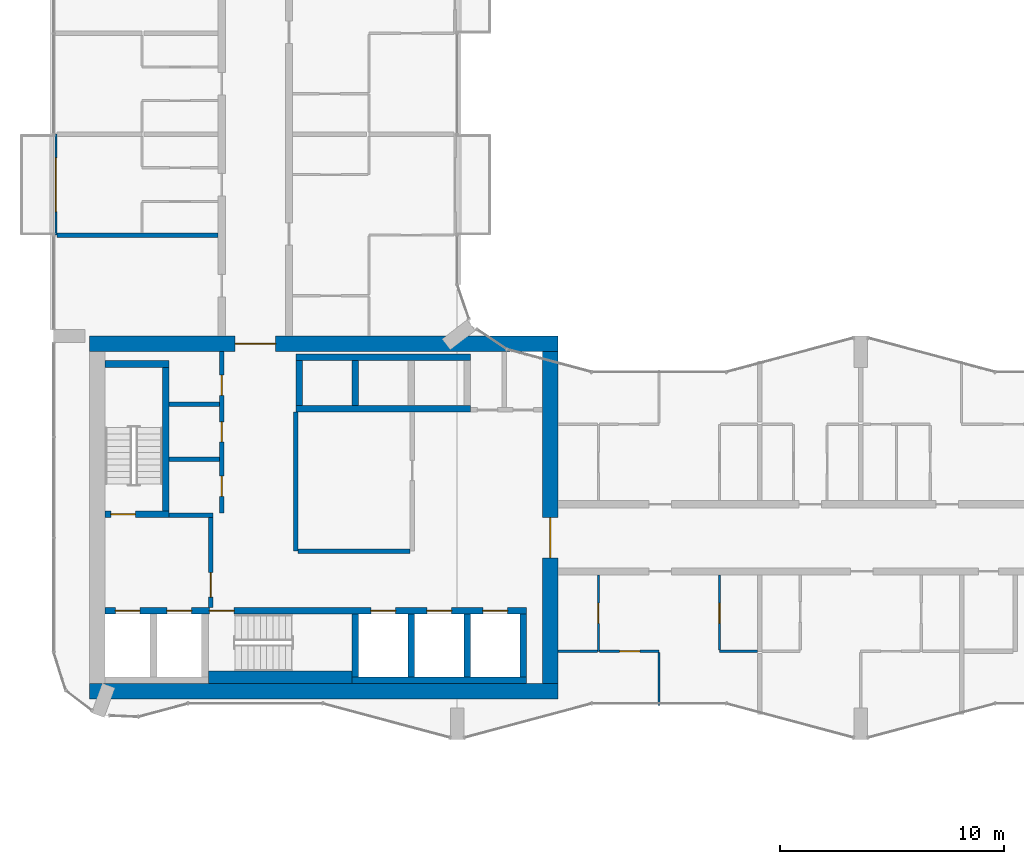
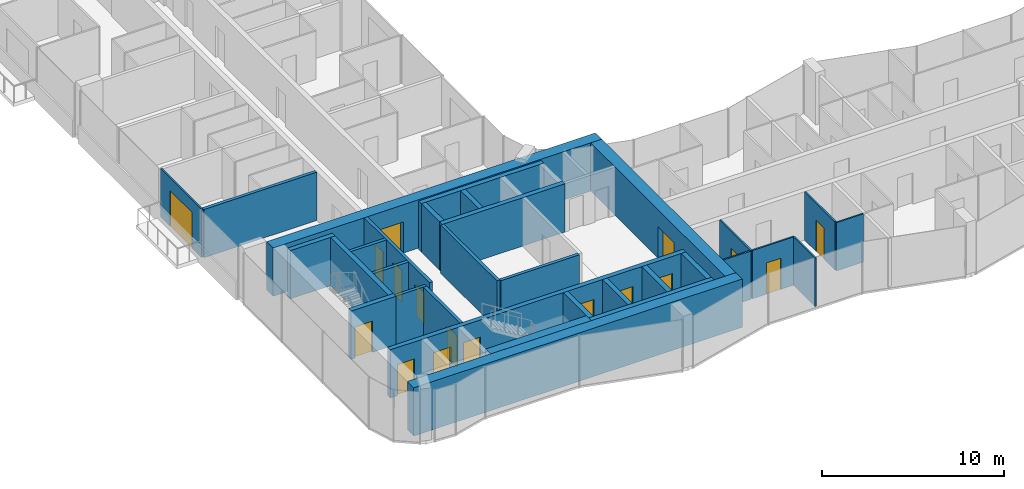
# One storey, part 13 of 23: 32 walls, 17 doors, 17 openings.
"""IFC4 building model written with IfcOpenShell, lengths in metres."""

from ifc_helpers import new_model, si_unit, direction, frame, frame_2d, origin, place, context, subcontext, project, spatial, rectangle, extrude, material, layer, layer_set, type_object, element, fill, save


model = new_model("IFC4")

# Units and contexts
model_context = context("Model", 3, precision=1e-05, world=origin(), true_north=direction((0.0, 1.0)))
body_context = subcontext(model_context, "Body", "Model", "MODEL_VIEW")
ifc_project = project(units=[si_unit("LENGTHUNIT", "METRE"), si_unit("AREAUNIT", "SQUARE_METRE"), si_unit("VOLUMEUNIT", "CUBIC_METRE"), si_unit("PLANEANGLEUNIT", "RADIAN"), si_unit("MASSUNIT", "GRAM", prefix="KILO")], contexts=[model_context])

# Site, building, storey
site_placement = place(None, origin())
site = spatial("IfcSite", under=ifc_project, at=site_placement, CompositionType="ELEMENT")
building_placement = place(site_placement, origin())
building = spatial("IfcBuilding", under=site, at=building_placement, Name="Plateau Cross Towers", CompositionType="ELEMENT")
storey_placement = place(building_placement, frame((0.0, 0.0, 85.300048828125)))
storey = spatial("IfcBuildingStorey", under=building, at=storey_placement, Name="L21", CompositionType="ELEMENT", Elevation=85.300048828125)

# Wall, opening, door
ifc_material_1 = material(Name="Aluminium framed glazing", Category="aluminium")
ifc_layer_1 = layer(ifc_material_1, 0.10009765625)
ifc_layer_set_1 = layer_set([ifc_layer_1], Name="Aluminium framed glazing")
wall_type_1 = type_object("IfcWallType", Name="Balcony screen wall 100", PredefinedType="STANDARD", material=ifc_layer_set_1)
wall_1_placement = place(storey_placement, frame((0.10009765625, 22.5, 0.0), z_axis=(0.0, 0.0, 1.0), x_axis=(0.0, 1.0, 0.0)))
wall_1 = element("IfcWall", 1, at=wall_1_placement, inside=storey, type_object=wall_type_1, Name="Balcony screen wall A-BAL-L21-01", PredefinedType="STANDARD", context=body_context, shape_type="SweptSolid", body=[
    extrude(rectangle(XDim=4.5, YDim=0.10009765625, at=frame_2d((2.25, 0.0))), origin(), (0.0, 0.0, 1.0), 3.25),
])
opening_1_placement = place(wall_1_placement, frame((1.050048828125, 0.0, 0.0)))
opening_1 = element("IfcOpeningElement", 2, at=opening_1_placement, cuts=wall_1, Name="Opening D-B24", PredefinedType="OPENING", context=body_context, shape_type="SweptSolid", body=[
    extrude(rectangle(XDim=2.39990234375, YDim=2.39990234375, at=frame_2d((1.199951171875, 1.199951171875))), frame((0.0, 0.06005859375, 0.0), z_axis=(0.0, -1.0, 0.0), x_axis=(1.0, 0.0, 0.0)), (0.0, 0.0, 1.0), 0.1201171875),
])
ifc_material_2 = material(Name="Aluminium frame, double glazing", Category="aluminium")
door_type_1 = type_object("IfcDoorType", Name="Balcony sliding door 2400", OperationType="NOTDEFINED", PredefinedType="DOOR", material=ifc_material_2)
door_1_placement = place(opening_1_placement, origin())
door_1 = element("IfcDoor", 3, at=door_1_placement, inside=storey, type_object=door_type_1, Name="Balcony door A-BAL-L21-01", OperationType="SINGLE_SWING_LEFT", OverallHeight=2.39990234375, OverallWidth=2.39990234375, PredefinedType="DOOR", context=body_context, shape_type="SweptSolid", body=[
    extrude(rectangle(XDim=2.39990234375, YDim=2.39990234375, at=frame_2d((1.199951171875, 1.199951171875))), frame((0.0, 0.02490234375, 0.0), z_axis=(0.0, -1.0, 0.0), x_axis=(1.0, 0.0, 0.0)), (0.0, 0.0, 1.0), 0.050048828125),
])
fill(opening_1, door_1)

ifc_material_3 = material(Name="Concrete block, plastered both sides", Category="concrete")
ifc_layer_2 = layer(ifc_material_3, 0.199951171875)
ifc_layer_set_2 = layer_set([ifc_layer_2], Name="Concrete block, plastered both sides")
wall_type_2 = type_object("IfcWallType", Name="Core partition 200", PredefinedType="PARTITIONING", material=ifc_layer_set_2)
wall_2_placement = place(storey_placement, frame((7.0, 5.89990234375, 0.0), z_axis=(0.0, 0.0, 1.0), x_axis=(0.0, 1.0, 0.0)))
wall_2 = element("IfcWall", 4, at=wall_2_placement, inside=storey, type_object=wall_type_2, Name="Core partition", PredefinedType="PARTITIONING", context=body_context, shape_type="SweptSolid", body=[
    extrude(rectangle(XDim=4.0, YDim=0.199951171875, at=frame_2d((2.0, 0.0))), origin(), (0.0, 0.0, 1.0), 3.25),
])
opening_2_placement = place(wall_2_placement, frame((0.449951171875, 0.0, 0.0)))
opening_2 = element("IfcOpeningElement", 5, at=opening_2_placement, cuts=wall_2, Name="Opening FFD", PredefinedType="OPENING", context=body_context, shape_type="SweptSolid", body=[
    extrude(rectangle(XDim=1.10009765625, YDim=2.10009765625, at=frame_2d((0.550048828125, 1.050048828125))), frame((0.0, 0.10986328125, 0.0), z_axis=(0.0, -1.0, 0.0), x_axis=(1.0, 0.0, 0.0)), (0.0, 0.0, 1.0), 0.219970703125),
])
ifc_material_4 = material(Name="Steel, fire-resisting leaf", Category="steel")
door_type_2 = type_object("IfcDoorType", Name="Firefighting lobby door 1100", OperationType="NOTDEFINED", PredefinedType="DOOR", material=ifc_material_4)
door_2_placement = place(opening_2_placement, origin())
door_2 = element("IfcDoor", 6, at=door_2_placement, inside=storey, type_object=door_type_2, Name="Firefighting lobby door FFD", OperationType="SINGLE_SWING_LEFT", OverallHeight=2.10009765625, OverallWidth=1.10009765625, PredefinedType="DOOR", context=body_context, shape_type="SweptSolid", body=[
    extrude(rectangle(XDim=1.10009765625, YDim=2.10009765625, at=frame_2d((0.550048828125, 1.050048828125))), frame((0.0, 0.02490234375, 0.0), z_axis=(0.0, -1.0, 0.0), x_axis=(1.0, 0.0, 0.0)), (0.0, 0.0, 1.0), 0.050048828125),
])
fill(opening_2, door_2)

# Walls
wall_3_placement = place(storey_placement, frame((5.14990234375, 10.0, 0.0), z_axis=(0.0, 0.0, 1.0), x_axis=(1.0, 0.0, 0.0)))
element("IfcWall", 7, at=wall_3_placement, inside=storey, type_object=wall_type_2, Name="Core partition", PredefinedType="PARTITIONING", context=body_context, shape_type="SweptSolid", body=[
    extrude(rectangle(XDim=1.9501953125, YDim=0.199951171875, at=frame_2d((0.97509765625, 0.0))), origin(), (0.0, 0.0, 1.0), 3.25),
])
wall_4_placement = place(storey_placement, frame((10.800048828125, 8.39990234375, 0.0), z_axis=(0.0, 0.0, 1.0), x_axis=(0.0, 1.0, 0.0)))
element("IfcWall", 8, at=wall_4_placement, inside=storey, type_object=wall_type_2, Name="Core partition", PredefinedType="PARTITIONING", context=body_context, shape_type="SweptSolid", body=[
    extrude(rectangle(XDim=6.2001953125, YDim=0.199951171875, at=frame_2d((3.10009765625, 0.0))), origin(), (0.0, 0.0, 1.0), 3.25),
])
wall_5_placement = place(storey_placement, frame((10.89990234375, 8.39990234375, 0.0), z_axis=(0.0, 0.0, 1.0), x_axis=(1.0, 0.0, 0.0)))
element("IfcWall", 9, at=wall_5_placement, inside=storey, type_object=wall_type_2, Name="Core partition", PredefinedType="PARTITIONING", context=body_context, shape_type="SweptSolid", body=[
    extrude(rectangle(XDim=5.0, YDim=0.199951171875, at=frame_2d((2.5, 0.0))), origin(), (0.0, 0.0, 1.0), 3.25),
])

# Wall, openings, doors
wall_6_placement = place(storey_placement, frame((7.5, 10.10009765625, 0.0), z_axis=(0.0, 0.0, 1.0), x_axis=(0.0, 1.0, 0.0)))
wall_6 = element("IfcWall", 10, at=wall_6_placement, inside=storey, type_object=wall_type_2, Name="Core partition", PredefinedType="PARTITIONING", context=body_context, shape_type="SweptSolid", body=[
    extrude(rectangle(XDim=7.199951171875, YDim=0.199951171875, at=frame_2d((3.60009765625, 0.0))), origin(), (0.0, 0.0, 1.0), 3.25),
])
opening_3_placement = place(wall_6_placement, frame((0.75, 0.0, 0.0)))
opening_3 = element("IfcOpeningElement", 11, at=opening_3_placement, cuts=wall_6, Name="Opening RD1", PredefinedType="OPENING", context=body_context, shape_type="SweptSolid", body=[
    extrude(rectangle(XDim=0.89990234375, YDim=2.10009765625, at=frame_2d((0.449951171875, 1.050048828125))), frame((0.0, 0.10986328125, 0.0), z_axis=(0.0, -1.0, 0.0), x_axis=(1.0, 0.0, 0.0)), (0.0, 0.0, 1.0), 0.219970703125),
])
opening_4_placement = place(wall_6_placement, frame((3.175048828125, 0.0, 0.0)))
opening_4 = element("IfcOpeningElement", 12, at=opening_4_placement, cuts=wall_6, Name="Opening RD1", PredefinedType="OPENING", context=body_context, shape_type="SweptSolid", body=[
    extrude(rectangle(XDim=0.89990234375, YDim=2.10009765625, at=frame_2d((0.449951171875, 1.050048828125))), frame((0.0, 0.10986328125, 0.0), z_axis=(0.0, -1.0, 0.0), x_axis=(1.0, 0.0, 0.0)), (0.0, 0.0, 1.0), 0.219970703125),
])
opening_5_placement = place(wall_6_placement, frame((5.25, 0.0, 0.0)))
opening_5 = element("IfcOpeningElement", 13, at=opening_5_placement, cuts=wall_6, Name="Opening RD1", PredefinedType="OPENING", context=body_context, shape_type="SweptSolid", body=[
    extrude(rectangle(XDim=0.89990234375, YDim=2.10009765625, at=frame_2d((0.449951171875, 1.050048828125))), frame((0.0, 0.10986328125, 0.0), z_axis=(0.0, -1.0, 0.0), x_axis=(1.0, 0.0, 0.0)), (0.0, 0.0, 1.0), 0.219970703125),
])
ifc_material_5 = material(Name="Timber, fire-resisting leaf", Category="wood")
door_type_3 = type_object("IfcDoorType", Name="Core service door 900", OperationType="NOTDEFINED", PredefinedType="DOOR", material=ifc_material_5)
door_3_placement = place(opening_3_placement, origin())
door_3 = element("IfcDoor", 14, at=door_3_placement, inside=storey, type_object=door_type_3, Name="Core service door RD1", OperationType="SINGLE_SWING_RIGHT", OverallHeight=2.10009765625, OverallWidth=0.89990234375, PredefinedType="DOOR", context=body_context, shape_type="SweptSolid", body=[
    extrude(rectangle(XDim=0.89990234375, YDim=2.10009765625, at=frame_2d((0.449951171875, 1.050048828125))), frame((0.0, 0.02490234375, 0.0), z_axis=(0.0, -1.0, 0.0), x_axis=(1.0, 0.0, 0.0)), (0.0, 0.0, 1.0), 0.050048828125),
])
fill(opening_3, door_3)
door_4_placement = place(opening_4_placement, origin())
door_4 = element("IfcDoor", 15, at=door_4_placement, inside=storey, type_object=door_type_3, Name="Core service door RD1", OperationType="SINGLE_SWING_RIGHT", OverallHeight=2.10009765625, OverallWidth=0.89990234375, PredefinedType="DOOR", context=body_context, shape_type="SweptSolid", body=[
    extrude(rectangle(XDim=0.89990234375, YDim=2.10009765625, at=frame_2d((0.449951171875, 1.050048828125))), frame((0.0, 0.02490234375, 0.0), z_axis=(0.0, -1.0, 0.0), x_axis=(1.0, 0.0, 0.0)), (0.0, 0.0, 1.0), 0.050048828125),
])
fill(opening_4, door_4)
door_5_placement = place(opening_5_placement, origin())
door_5 = element("IfcDoor", 16, at=door_5_placement, inside=storey, type_object=door_type_3, Name="Core service door RD1", OperationType="SINGLE_SWING_RIGHT", OverallHeight=2.10009765625, OverallWidth=0.89990234375, PredefinedType="DOOR", context=body_context, shape_type="SweptSolid", body=[
    extrude(rectangle(XDim=0.89990234375, YDim=2.10009765625, at=frame_2d((0.449951171875, 1.050048828125))), frame((0.0, 0.02490234375, 0.0), z_axis=(0.0, -1.0, 0.0), x_axis=(1.0, 0.0, 0.0)), (0.0, 0.0, 1.0), 0.050048828125),
])
fill(opening_5, door_5)

# Walls
for number, where, z_axis, x_axis, name in (
    (17, (5.14990234375, 12.5, 0.0), (0.0, 0.0, 1.0), (1.0, 0.0, 0.0), "Core partition"),
    (18, (5.14990234375, 14.949951171875, 0.0), (0.0, 0.0, 1.0), (1.0, 0.0, 0.0), "Core partition"),
):
    element("IfcWall", number, at=place(storey_placement, frame(where, z_axis=z_axis, x_axis=x_axis)), inside=storey, type_object=wall_type_2, Name=name, PredefinedType="PARTITIONING", context=body_context, shape_type="SweptSolid", body=[
        extrude(rectangle(XDim=2.25, YDim=0.199951171875, at=frame_2d((1.125, 0.0))), origin(), (0.0, 0.0, 1.0), 3.25),
    ])
ifc_material_6 = material(Name="Concrete C60/75", Category="concrete")
ifc_layer_3 = layer(ifc_material_6, 0.300048828125)
ifc_layer_set_3 = layer_set([ifc_layer_3], Name="Concrete C60/75")
wall_type_3 = type_object("IfcWallType", Name="Core shaft wall 300", PredefinedType="SHEAR", material=ifc_layer_set_3)
wall_7_placement = place(storey_placement, frame((13.300048828125, 2.64990234375, 0.0), z_axis=(0.0, 0.0, 1.0), x_axis=(1.0, 0.0, 0.0)))
element("IfcWall", 19, at=wall_7_placement, inside=storey, type_object=wall_type_3, Name="A-sb-back3@L21", PredefinedType="SHEAR", context=body_context, shape_type="SweptSolid", body=[
    extrude(rectangle(XDim=7.800048828125, YDim=0.300048828125, at=frame_2d((3.89990234375, 0.0))), origin(), (0.0, 0.0, 1.0), 3.25),
])
for number, where, z_axis, x_axis, name in (
    (20, (13.449951171875, 2.800048828125, 0.0), (0.0, 0.0, 1.0), (0.0, 1.0, 0.0), "A-sb-v3@L21"),
    (21, (15.949951171875, 2.800048828125, 0.0), (0.0, 0.0, 1.0), (0.0, 1.0, 0.0), "A-sb-v4@L21"),
    (22, (18.449951171875, 2.800048828125, 0.0), (0.0, 0.0, 1.0), (0.0, 1.0, 0.0), "A-sb-v5@L21"),
    (23, (20.949951171875, 2.800048828125, 0.0), (0.0, 0.0, 1.0), (0.0, 1.0, 0.0), "A-sb-v6@L21"),
):
    element("IfcWall", number, at=place(storey_placement, frame(where, z_axis=z_axis, x_axis=x_axis)), inside=storey, type_object=wall_type_3, Name=name, PredefinedType="SHEAR", context=body_context, shape_type="SweptSolid", body=[
        extrude(rectangle(XDim=2.800048828125, YDim=0.300048828125, at=frame_2d((1.39990234375, 0.0))), origin(), (0.0, 0.0, 1.0), 3.25),
    ])

# Wall, openings, doors
wall_8_placement = place(storey_placement, frame((2.300048828125, 5.75, 0.0), z_axis=(0.0, 0.0, 1.0), x_axis=(1.0, 0.0, 0.0)))
wall_8 = element("IfcWall", 24, at=wall_8_placement, inside=storey, type_object=wall_type_3, Name="A-sb-front@L21", PredefinedType="SHEAR", context=body_context, shape_type="SweptSolid", body=[
    extrude(rectangle(XDim=18.800048828125, YDim=0.300048828125, at=frame_2d((9.39990234375, 0.0))), origin(), (0.0, 0.0, 1.0), 3.25),
])
opening_6_placement = place(wall_8_placement, frame((4.64990234375, 0.0, 0.0)))
opening_6 = element("IfcOpeningElement", 25, at=opening_6_placement, cuts=wall_8, Name="Opening SD", PredefinedType="OPENING", context=body_context, shape_type="SweptSolid", body=[
    extrude(rectangle(XDim=1.10009765625, YDim=2.10009765625, at=frame_2d((0.550048828125, 1.050048828125))), frame((0.0, 0.159912109375, 0.0), z_axis=(0.0, -1.0, 0.0), x_axis=(1.0, 0.0, 0.0)), (0.0, 0.0, 1.0), 0.320068359375),
])
opening_7_placement = place(wall_8_placement, frame((0.449951171875, 0.0, 0.0)))
opening_7 = element("IfcOpeningElement", 26, at=opening_7_placement, cuts=wall_8, Name="Opening LD", PredefinedType="OPENING", context=body_context, shape_type="SweptSolid", body=[
    extrude(rectangle(XDim=1.10009765625, YDim=2.10009765625, at=frame_2d((0.550048828125, 1.050048828125))), frame((0.0, 0.159912109375, 0.0), z_axis=(0.0, -1.0, 0.0), x_axis=(1.0, 0.0, 0.0)), (0.0, 0.0, 1.0), 0.320068359375),
])
opening_8_placement = place(wall_8_placement, frame((2.75, 0.0, 0.0)))
opening_8 = element("IfcOpeningElement", 27, at=opening_8_placement, cuts=wall_8, Name="Opening LD", PredefinedType="OPENING", context=body_context, shape_type="SweptSolid", body=[
    extrude(rectangle(XDim=1.10009765625, YDim=2.10009765625, at=frame_2d((0.550048828125, 1.050048828125))), frame((0.0, 0.159912109375, 0.0), z_axis=(0.0, -1.0, 0.0), x_axis=(1.0, 0.0, 0.0)), (0.0, 0.0, 1.0), 0.320068359375),
])
opening_9_placement = place(wall_8_placement, frame((11.85009765625, 0.0, 0.0)))
opening_9 = element("IfcOpeningElement", 28, at=opening_9_placement, cuts=wall_8, Name="Opening LD", PredefinedType="OPENING", context=body_context, shape_type="SweptSolid", body=[
    extrude(rectangle(XDim=1.10009765625, YDim=2.10009765625, at=frame_2d((0.550048828125, 1.050048828125))), frame((0.0, 0.159912109375, 0.0), z_axis=(0.0, -1.0, 0.0), x_axis=(1.0, 0.0, 0.0)), (0.0, 0.0, 1.0), 0.320068359375),
])
opening_10_placement = place(wall_8_placement, frame((14.35009765625, 0.0, 0.0)))
opening_10 = element("IfcOpeningElement", 29, at=opening_10_placement, cuts=wall_8, Name="Opening LD", PredefinedType="OPENING", context=body_context, shape_type="SweptSolid", body=[
    extrude(rectangle(XDim=1.10009765625, YDim=2.10009765625, at=frame_2d((0.550048828125, 1.050048828125))), frame((0.0, 0.159912109375, 0.0), z_axis=(0.0, -1.0, 0.0), x_axis=(1.0, 0.0, 0.0)), (0.0, 0.0, 1.0), 0.320068359375),
])
opening_11_placement = place(wall_8_placement, frame((16.85009765625, 0.0, 0.0)))
opening_11 = element("IfcOpeningElement", 30, at=opening_11_placement, cuts=wall_8, Name="Opening LD", PredefinedType="OPENING", context=body_context, shape_type="SweptSolid", body=[
    extrude(rectangle(XDim=1.10009765625, YDim=2.10009765625, at=frame_2d((0.550048828125, 1.050048828125))), frame((0.0, 0.159912109375, 0.0), z_axis=(0.0, -1.0, 0.0), x_axis=(1.0, 0.0, 0.0)), (0.0, 0.0, 1.0), 0.320068359375),
])
ifc_material_7 = material(Name="Stainless steel, fire-resisting sliding leaves", Category="steel")
door_type_4 = type_object("IfcDoorType", Name="Lift landing door 1100", OperationType="NOTDEFINED", PredefinedType="DOOR", material=ifc_material_7)
door_6_placement = place(opening_7_placement, origin())
door_6 = element("IfcDoor", 31, at=door_6_placement, inside=storey, type_object=door_type_4, Name="Lift landing door LD", OperationType="DOUBLE_DOOR_SLIDING", OverallHeight=2.10009765625, OverallWidth=1.10009765625, PredefinedType="DOOR", context=body_context, shape_type="SweptSolid", body=[
    extrude(rectangle(XDim=1.10009765625, YDim=2.10009765625, at=frame_2d((0.550048828125, 1.050048828125))), frame((0.0, 0.02490234375, 0.0), z_axis=(0.0, -1.0, 0.0), x_axis=(1.0, 0.0, 0.0)), (0.0, 0.0, 1.0), 0.050048828125),
])
fill(opening_7, door_6)
door_7_placement = place(opening_8_placement, origin())
door_7 = element("IfcDoor", 32, at=door_7_placement, inside=storey, type_object=door_type_4, Name="Lift landing door LD", OperationType="DOUBLE_DOOR_SLIDING", OverallHeight=2.10009765625, OverallWidth=1.10009765625, PredefinedType="DOOR", context=body_context, shape_type="SweptSolid", body=[
    extrude(rectangle(XDim=1.10009765625, YDim=2.10009765625, at=frame_2d((0.550048828125, 1.050048828125))), frame((0.0, 0.02490234375, 0.0), z_axis=(0.0, -1.0, 0.0), x_axis=(1.0, 0.0, 0.0)), (0.0, 0.0, 1.0), 0.050048828125),
])
fill(opening_8, door_7)
door_8_placement = place(opening_9_placement, origin())
door_8 = element("IfcDoor", 33, at=door_8_placement, inside=storey, type_object=door_type_4, Name="Lift landing door LD", OperationType="DOUBLE_DOOR_SLIDING", OverallHeight=2.10009765625, OverallWidth=1.10009765625, PredefinedType="DOOR", context=body_context, shape_type="SweptSolid", body=[
    extrude(rectangle(XDim=1.10009765625, YDim=2.10009765625, at=frame_2d((0.550048828125, 1.050048828125))), frame((0.0, 0.02490234375, 0.0), z_axis=(0.0, -1.0, 0.0), x_axis=(1.0, 0.0, 0.0)), (0.0, 0.0, 1.0), 0.050048828125),
])
fill(opening_9, door_8)
door_9_placement = place(opening_10_placement, origin())
door_9 = element("IfcDoor", 34, at=door_9_placement, inside=storey, type_object=door_type_4, Name="Lift landing door LD", OperationType="DOUBLE_DOOR_SLIDING", OverallHeight=2.10009765625, OverallWidth=1.10009765625, PredefinedType="DOOR", context=body_context, shape_type="SweptSolid", body=[
    extrude(rectangle(XDim=1.10009765625, YDim=2.10009765625, at=frame_2d((0.550048828125, 1.050048828125))), frame((0.0, 0.02490234375, 0.0), z_axis=(0.0, -1.0, 0.0), x_axis=(1.0, 0.0, 0.0)), (0.0, 0.0, 1.0), 0.050048828125),
])
fill(opening_10, door_9)
door_10_placement = place(opening_11_placement, origin())
door_10 = element("IfcDoor", 35, at=door_10_placement, inside=storey, type_object=door_type_4, Name="Lift landing door LD", OperationType="DOUBLE_DOOR_SLIDING", OverallHeight=2.10009765625, OverallWidth=1.10009765625, PredefinedType="DOOR", context=body_context, shape_type="SweptSolid", body=[
    extrude(rectangle(XDim=1.10009765625, YDim=2.10009765625, at=frame_2d((0.550048828125, 1.050048828125))), frame((0.0, 0.02490234375, 0.0), z_axis=(0.0, -1.0, 0.0), x_axis=(1.0, 0.0, 0.0)), (0.0, 0.0, 1.0), 0.050048828125),
])
fill(opening_11, door_10)
door_type_5 = type_object("IfcDoorType", Name="Stair door 1100", OperationType="NOTDEFINED", PredefinedType="DOOR", material=ifc_material_4)
door_11_placement = place(opening_6_placement, origin())
door_11 = element("IfcDoor", 36, at=door_11_placement, inside=storey, type_object=door_type_5, Name="Stair door SD", OperationType="SINGLE_SWING_LEFT", OverallHeight=2.10009765625, OverallWidth=1.10009765625, PredefinedType="DOOR", context=body_context, shape_type="SweptSolid", body=[
    extrude(rectangle(XDim=1.10009765625, YDim=2.10009765625, at=frame_2d((0.550048828125, 1.050048828125))), frame((0.0, 0.02490234375, 0.0), z_axis=(0.0, -1.0, 0.0), x_axis=(1.0, 0.0, 0.0)), (0.0, 0.0, 1.0), 0.050048828125),
])
fill(opening_6, door_11)

# Wall, opening, door
wall_9_placement = place(storey_placement, frame((2.300048828125, 10.050048828125, 0.0), z_axis=(0.0, 0.0, 1.0), x_axis=(1.0, 0.0, 0.0)))
wall_9 = element("IfcWall", 37, at=wall_9_placement, inside=storey, type_object=wall_type_3, Name="A-st1-S@L21", PredefinedType="SHEAR", context=body_context, shape_type="SweptSolid", body=[
    extrude(rectangle(XDim=2.849853515625, YDim=0.300048828125, at=frame_2d((1.4248046875, 0.0))), origin(), (0.0, 0.0, 1.0), 3.25),
])
opening_12_placement = place(wall_9_placement, frame((0.25, 0.0, 0.0)))
opening_12 = element("IfcOpeningElement", 38, at=opening_12_placement, cuts=wall_9, Name="Opening SD", PredefinedType="OPENING", context=body_context, shape_type="SweptSolid", body=[
    extrude(rectangle(XDim=1.10009765625, YDim=2.10009765625, at=frame_2d((0.550048828125, 1.050048828125))), frame((0.0, 0.159912109375, 0.0), z_axis=(0.0, -1.0, 0.0), x_axis=(1.0, 0.0, 0.0)), (0.0, 0.0, 1.0), 0.320068359375),
])
door_12_placement = place(opening_12_placement, origin())
door_12 = element("IfcDoor", 39, at=door_12_placement, inside=storey, type_object=door_type_5, Name="Stair door SD", OperationType="SINGLE_SWING_RIGHT", OverallHeight=2.10009765625, OverallWidth=1.10009765625, PredefinedType="DOOR", context=body_context, shape_type="SweptSolid", body=[
    extrude(rectangle(XDim=1.10009765625, YDim=2.10009765625, at=frame_2d((0.550048828125, 1.050048828125))), frame((0.0, 0.02490234375, 0.0), z_axis=(0.0, -1.0, 0.0), x_axis=(1.0, 0.0, 0.0)), (0.0, 0.0, 1.0), 0.050048828125),
])
fill(opening_12, door_12)

# Walls
wall_10_placement = place(storey_placement, frame((5.0, 10.199951171875, 0.0), z_axis=(0.0, 0.0, 1.0), x_axis=(0.0, 1.0, 0.0)))
element("IfcWall", 40, at=wall_10_placement, inside=storey, type_object=wall_type_3, Name="A-st1-E@L21", PredefinedType="SHEAR", context=body_context, shape_type="SweptSolid", body=[
    extrude(rectangle(XDim=6.400146484375, YDim=0.300048828125, at=frame_2d((3.2001953125, 0.0))), origin(), (0.0, 0.0, 1.0), 3.25),
])
wall_11_placement = place(storey_placement, frame((2.300048828125, 16.75, 0.0), z_axis=(0.0, 0.0, 1.0), x_axis=(1.0, 0.0, 0.0)))
element("IfcWall", 41, at=wall_11_placement, inside=storey, type_object=wall_type_3, Name="A-st1-N@L21", PredefinedType="SHEAR", context=body_context, shape_type="SweptSolid", body=[
    extrude(rectangle(XDim=2.849853515625, YDim=0.300048828125, at=frame_2d((1.4248046875, 0.0))), origin(), (0.0, 0.0, 1.0), 3.25),
])
for number, where, z_axis, x_axis, name in (
    (42, (10.800048828125, 17.050048828125, 0.0), (0.0, 0.0, 1.0), (1.0, 0.0, 0.0), "A-nb-back@L21"),
    (43, (10.800048828125, 14.75, 0.0), (0.0, 0.0, 1.0), (1.0, 0.0, 0.0), "A-nb-front@L21"),
):
    element("IfcWall", number, at=place(storey_placement, frame(where, z_axis=z_axis, x_axis=x_axis)), inside=storey, type_object=wall_type_3, Name=name, PredefinedType="SHEAR", context=body_context, shape_type="SweptSolid", body=[
        extrude(rectangle(XDim=7.800048828125, YDim=0.300048828125, at=frame_2d((3.89990234375, 0.0))), origin(), (0.0, 0.0, 1.0), 3.25),
    ])
for number, where, z_axis, x_axis, name in (
    (44, (10.949951171875, 14.89990234375, 0.0), (0.0, 0.0, 1.0), (0.0, 1.0, 0.0), "A-nb-v1@L21"),
    (45, (13.449951171875, 14.89990234375, 0.0), (0.0, 0.0, 1.0), (0.0, 1.0, 0.0), "A-nb-v2@L21"),
):
    element("IfcWall", number, at=place(storey_placement, frame(where, z_axis=z_axis, x_axis=x_axis)), inside=storey, type_object=wall_type_3, Name=name, PredefinedType="SHEAR", context=body_context, shape_type="SweptSolid", body=[
        extrude(rectangle(XDim=2.0, YDim=0.300048828125, at=frame_2d((1.0, 0.0))), origin(), (0.0, 0.0, 1.0), 3.25),
    ])
ifc_layer_4 = layer(ifc_material_6, 0.550048828125)
ifc_layer_set_4 = layer_set([ifc_layer_4], Name="Concrete C60/75")
wall_type_4 = type_object("IfcWallType", Name="Core shaft wall 550", PredefinedType="SHEAR", material=ifc_layer_set_4)
wall_12_placement = place(storey_placement, frame((6.89990234375, 2.77490234375, 0.0), z_axis=(0.0, 0.0, 1.0), x_axis=(1.0, 0.0, 0.0)))
element("IfcWall", 46, at=wall_12_placement, inside=storey, type_object=wall_type_4, Name="A-sb-back2@L21", PredefinedType="SHEAR", context=body_context, shape_type="SweptSolid", body=[
    extrude(rectangle(XDim=6.400146484375, YDim=0.550048828125, at=frame_2d((3.2001953125, 0.0))), origin(), (0.0, 0.0, 1.0), 3.25),
])
ifc_layer_5 = layer(ifc_material_6, 0.699951171875)
ifc_layer_set_5 = layer_set([ifc_layer_5], Name="Concrete C60/75")
wall_type_5 = type_object("IfcWallType", Name="Core shell wall 700", PredefinedType="SHEAR", material=ifc_layer_set_5)
wall_13_placement = place(storey_placement, frame((1.60009765625, 2.14990234375, 0.0), z_axis=(0.0, 0.0, 1.0), x_axis=(1.0, 0.0, 0.0)))
element("IfcWall", 47, at=wall_13_placement, inside=storey, type_object=wall_type_5, Name="A-core-S@L21", PredefinedType="SHEAR", context=body_context, shape_type="SweptSolid", body=[
    extrude(rectangle(XDim=20.89990234375, YDim=0.699951171875, at=frame_2d((10.449951171875, 0.0))), origin(), (0.0, 0.0, 1.0), 3.25),
])

# Wall, opening, door
wall_14_placement = place(storey_placement, frame((1.60009765625, 17.64990234375, 0.0), z_axis=(0.0, 0.0, 1.0), x_axis=(1.0, 0.0, 0.0)))
wall_14 = element("IfcWall", 48, at=wall_14_placement, inside=storey, type_object=wall_type_5, Name="A-core-N@L21", PredefinedType="SHEAR", context=body_context, shape_type="SweptSolid", body=[
    extrude(rectangle(XDim=20.89990234375, YDim=0.699951171875, at=frame_2d((10.449951171875, 0.0))), origin(), (0.0, 0.0, 1.0), 3.25),
])
opening_13_placement = place(wall_14_placement, frame((6.5, 0.0, 0.0)))
opening_13 = element("IfcOpeningElement", 49, at=opening_13_placement, cuts=wall_14, Name="Opening CD", PredefinedType="OPENING", context=body_context, shape_type="SweptSolid", body=[
    extrude(rectangle(XDim=1.800048828125, YDim=2.10009765625, at=frame_2d((0.89990234375, 1.050048828125))), frame((0.0, 0.35986328125, 0.0), z_axis=(0.0, -1.0, 0.0), x_axis=(1.0, 0.0, 0.0)), (0.0, 0.0, 1.0), 0.719970703125),
])
ifc_material_8 = material(Name="Steel, fire-resisting leaves", Category="steel")
door_type_6 = type_object("IfcDoorType", Name="Corridor door pair 1800", OperationType="NOTDEFINED", PredefinedType="DOOR", material=ifc_material_8)
door_13_placement = place(opening_13_placement, origin())
door_13 = element("IfcDoor", 50, at=door_13_placement, inside=storey, type_object=door_type_6, Name="Corridor door pair CD", OperationType="DOUBLE_DOOR_SINGLE_SWING", OverallHeight=2.10009765625, OverallWidth=1.800048828125, PredefinedType="DOOR", context=body_context, shape_type="SweptSolid", body=[
    extrude(rectangle(XDim=1.800048828125, YDim=2.10009765625, at=frame_2d((0.89990234375, 1.050048828125))), frame((0.0, 0.02490234375, 0.0), z_axis=(0.0, -1.0, 0.0), x_axis=(1.0, 0.0, 0.0)), (0.0, 0.0, 1.0), 0.050048828125),
])
fill(opening_13, door_13)

wall_15_placement = place(storey_placement, frame((22.14990234375, 2.5, 0.0), z_axis=(0.0, 0.0, 1.0), x_axis=(0.0, 1.0, 0.0)))
wall_15 = element("IfcWall", 51, at=wall_15_placement, inside=storey, type_object=wall_type_5, Name="A-core-E@L21", PredefinedType="SHEAR", context=body_context, shape_type="SweptSolid", body=[
    extrude(rectangle(XDim=14.800048828125, YDim=0.699951171875, at=frame_2d((7.39990234375, 0.0))), origin(), (0.0, 0.0, 1.0), 3.25),
])
opening_14_placement = place(wall_15_placement, frame((5.60009765625, 0.0, 0.0)))
opening_14 = element("IfcOpeningElement", 52, at=opening_14_placement, cuts=wall_15, Name="Opening CD", PredefinedType="OPENING", context=body_context, shape_type="SweptSolid", body=[
    extrude(rectangle(XDim=1.800048828125, YDim=2.10009765625, at=frame_2d((0.89990234375, 1.050048828125))), frame((0.0, 0.35986328125, 0.0), z_axis=(0.0, -1.0, 0.0), x_axis=(1.0, 0.0, 0.0)), (0.0, 0.0, 1.0), 0.719970703125),
])
door_14_placement = place(opening_14_placement, origin())
door_14 = element("IfcDoor", 53, at=door_14_placement, inside=storey, type_object=door_type_6, Name="Corridor door pair CD", OperationType="DOUBLE_DOOR_SINGLE_SWING", OverallHeight=2.10009765625, OverallWidth=1.800048828125, PredefinedType="DOOR", context=body_context, shape_type="SweptSolid", body=[
    extrude(rectangle(XDim=1.800048828125, YDim=2.10009765625, at=frame_2d((0.89990234375, 1.050048828125))), frame((0.0, 0.02490234375, 0.0), z_axis=(0.0, -1.0, 0.0), x_axis=(1.0, 0.0, 0.0)), (0.0, 0.0, 1.0), 0.050048828125),
])
fill(opening_14, door_14)

ifc_material_9 = material(Name="Gypsum board on steel studs", Category="steel")
ifc_layer_6 = layer(ifc_material_9, 0.10009765625)
ifc_layer_set_6 = layer_set([ifc_layer_6], Name="Gypsum board on steel studs")
wall_type_6 = type_object("IfcWallType", Name="Flat partition 100", PredefinedType="PARTITIONING", material=ifc_layer_set_6)
wall_16_placement = place(storey_placement, frame((27.0, 3.9375, 0.0), z_axis=(0.0, 0.0, 1.0), x_axis=(-1.0, 0.0, 0.0)))
wall_16 = element("IfcWall", 54, at=wall_16_placement, inside=storey, type_object=wall_type_6, Name="Partition wall", PredefinedType="PARTITIONING", context=body_context, shape_type="SweptSolid", body=[
    extrude(rectangle(XDim=2.64990234375, YDim=0.10009765625, at=frame_2d((1.324951171875, 0.0))), origin(), (0.0, 0.0, 1.0), 3.25),
])
opening_15_placement = place(wall_16_placement, frame((0.85009765625, 0.0, 0.0)))
opening_15 = element("IfcOpeningElement", 55, at=opening_15_placement, cuts=wall_16, Name="Opening 21-20", PredefinedType="OPENING", context=body_context, shape_type="SweptSolid", body=[
    extrude(rectangle(XDim=0.89990234375, YDim=2.10009765625, at=frame_2d((0.449951171875, 1.050048828125))), frame((0.0, 0.06005859375, 0.0), z_axis=(0.0, -1.0, 0.0), x_axis=(1.0, 0.0, 0.0)), (0.0, 0.0, 1.0), 0.1201171875),
])
ifc_material_10 = material(Name="Timber leaf", Category="wood")
door_type_7 = type_object("IfcDoorType", Name="Flat room door 900", OperationType="NOTDEFINED", PredefinedType="DOOR", material=ifc_material_10)
door_15_placement = place(opening_15_placement, origin())
door_15 = element("IfcDoor", 56, at=door_15_placement, inside=storey, type_object=door_type_7, Name="Door 21-20", OperationType="SINGLE_SWING_LEFT", OverallHeight=2.10009765625, OverallWidth=0.89990234375, PredefinedType="DOOR", context=body_context, shape_type="SweptSolid", body=[
    extrude(rectangle(XDim=0.89990234375, YDim=2.10009765625, at=frame_2d((0.449951171875, 1.050048828125))), frame((0.0, 0.02490234375, 0.0), z_axis=(0.0, -1.0, 0.0), x_axis=(1.0, 0.0, 0.0)), (0.0, 0.0, 1.0), 0.050048828125),
])
fill(opening_15, door_15)

# Walls
wall_17_placement = place(storey_placement, frame((22.5, 3.9375, 0.0), z_axis=(0.0, 0.0, 1.0), x_axis=(1.0, 0.0, 0.0)))
element("IfcWall", 57, at=wall_17_placement, inside=storey, type_object=wall_type_6, Name="Partition wall", PredefinedType="PARTITIONING", context=body_context, shape_type="SweptSolid", body=[
    extrude(rectangle(XDim=1.75, YDim=0.10009765625, at=frame_2d((0.875, 0.0))), origin(), (0.0, 0.0, 1.0), 3.25),
])
wall_18_placement = place(storey_placement, frame((29.699951171875, 3.9375, 0.0), z_axis=(0.0, 0.0, 1.0), x_axis=(1.0, 0.0, 0.0)))
element("IfcWall", 58, at=wall_18_placement, inside=storey, type_object=wall_type_6, Name="Partition wall", PredefinedType="PARTITIONING", context=body_context, shape_type="SweptSolid", body=[
    extrude(rectangle(XDim=1.699951171875, YDim=0.10009765625, at=frame_2d((0.85009765625, 0.0))), origin(), (0.0, 0.0, 1.0), 3.25),
])

# Wall, opening, door
wall_19_placement = place(storey_placement, frame((24.300048828125, 3.9375, 0.0), z_axis=(0.0, 0.0, 1.0), x_axis=(0.0, 1.0, 0.0)))
wall_19 = element("IfcWall", 59, at=wall_19_placement, inside=storey, type_object=wall_type_6, Name="Partition wall", PredefinedType="PARTITIONING", context=body_context, shape_type="SweptSolid", body=[
    extrude(rectangle(XDim=3.39990234375, YDim=0.10009765625, at=frame_2d((1.699951171875, 0.0))), origin(), (0.0, 0.0, 1.0), 3.25),
])
opening_16_placement = place(wall_19_placement, frame((1.25, 0.0, 0.0)))
opening_16 = element("IfcOpeningElement", 60, at=opening_16_placement, cuts=wall_19, Name="Opening 21-18", PredefinedType="OPENING", context=body_context, shape_type="SweptSolid", body=[
    extrude(rectangle(XDim=0.89990234375, YDim=2.10009765625, at=frame_2d((0.449951171875, 1.050048828125))), frame((0.0, 0.06005859375, 0.0), z_axis=(0.0, -1.0, 0.0), x_axis=(1.0, 0.0, 0.0)), (0.0, 0.0, 1.0), 0.1201171875),
])
door_16_placement = place(opening_16_placement, origin())
door_16 = element("IfcDoor", 61, at=door_16_placement, inside=storey, type_object=door_type_7, Name="Door 21-18", OperationType="SINGLE_SWING_LEFT", OverallHeight=2.10009765625, OverallWidth=0.89990234375, PredefinedType="DOOR", context=body_context, shape_type="SweptSolid", body=[
    extrude(rectangle(XDim=0.89990234375, YDim=2.10009765625, at=frame_2d((0.449951171875, 1.050048828125))), frame((0.0, 0.02490234375, 0.0), z_axis=(0.0, -1.0, 0.0), x_axis=(1.0, 0.0, 0.0)), (0.0, 0.0, 1.0), 0.050048828125),
])
fill(opening_16, door_16)

# Wall
wall_20_placement = place(storey_placement, frame((27.0, 1.52685546875, 0.0), z_axis=(0.0, 0.0, 1.0), x_axis=(0.0, 1.0, 0.0)))
element("IfcWall", 62, at=wall_20_placement, inside=storey, type_object=wall_type_6, Name="Partition wall", PredefinedType="PARTITIONING", context=body_context, shape_type="SweptSolid", body=[
    extrude(rectangle(XDim=2.360595703125, YDim=0.10009765625, at=frame_2d((1.18017578125, 0.0))), origin(), (0.0, 0.0, 1.0), 3.25),
])

# Wall, opening, door
wall_21_placement = place(storey_placement, frame((29.699951171875, 7.33740234375, 0.0), z_axis=(0.0, 0.0, 1.0), x_axis=(0.0, -1.0, 0.0)))
wall_21 = element("IfcWall", 63, at=wall_21_placement, inside=storey, type_object=wall_type_6, Name="Partition wall", PredefinedType="PARTITIONING", context=body_context, shape_type="SweptSolid", body=[
    extrude(rectangle(XDim=3.349853515625, YDim=0.10009765625, at=frame_2d((1.6748046875, 0.0))), origin(), (0.0, 0.0, 1.0), 3.25),
])
opening_17_placement = place(wall_21_placement, frame((1.25, 0.0, 0.0)))
opening_17 = element("IfcOpeningElement", 64, at=opening_17_placement, cuts=wall_21, Name="Opening 21-19", PredefinedType="OPENING", context=body_context, shape_type="SweptSolid", body=[
    extrude(rectangle(XDim=0.89990234375, YDim=2.10009765625, at=frame_2d((0.449951171875, 1.050048828125))), frame((0.0, 0.06005859375, 0.0), z_axis=(0.0, -1.0, 0.0), x_axis=(1.0, 0.0, 0.0)), (0.0, 0.0, 1.0), 0.1201171875),
])
door_17_placement = place(opening_17_placement, origin())
door_17 = element("IfcDoor", 65, at=door_17_placement, inside=storey, type_object=door_type_7, Name="Door 21-19", OperationType="SINGLE_SWING_RIGHT", OverallHeight=2.10009765625, OverallWidth=0.89990234375, PredefinedType="DOOR", context=body_context, shape_type="SweptSolid", body=[
    extrude(rectangle(XDim=0.89990234375, YDim=2.10009765625, at=frame_2d((0.449951171875, 1.050048828125))), frame((0.0, 0.02490234375, 0.0), z_axis=(0.0, -1.0, 0.0), x_axis=(1.0, 0.0, 0.0)), (0.0, 0.0, 1.0), 0.050048828125),
])
fill(opening_17, door_17)

# Wall
ifc_material_11 = material(Name="Gypsum board on steel studs, two layers each side", Category="steel")
ifc_layer_7 = layer(ifc_material_11, 0.199951171875)
ifc_layer_set_7 = layer_set([ifc_layer_7], Name="Gypsum board on steel studs, two layers each side")
wall_type_7 = type_object("IfcWallType", Name="Flat party wall 200", PredefinedType="PARTITIONING", material=ifc_layer_set_7)
wall_22_placement = place(storey_placement, frame((7.33740234375, 22.5, 0.0), z_axis=(0.0, 0.0, 1.0), x_axis=(-1.0, 0.0, 0.0)))
element("IfcWall", 66, at=wall_22_placement, inside=storey, type_object=wall_type_7, Name="Party wall", PredefinedType="PARTITIONING", context=body_context, shape_type="SweptSolid", body=[
    extrude(rectangle(XDim=7.1875, YDim=0.199951171875, at=frame_2d((3.59375, 0.0))), origin(), (0.0, 0.0, 1.0), 3.25),
])

save(model, "model.ifc")
